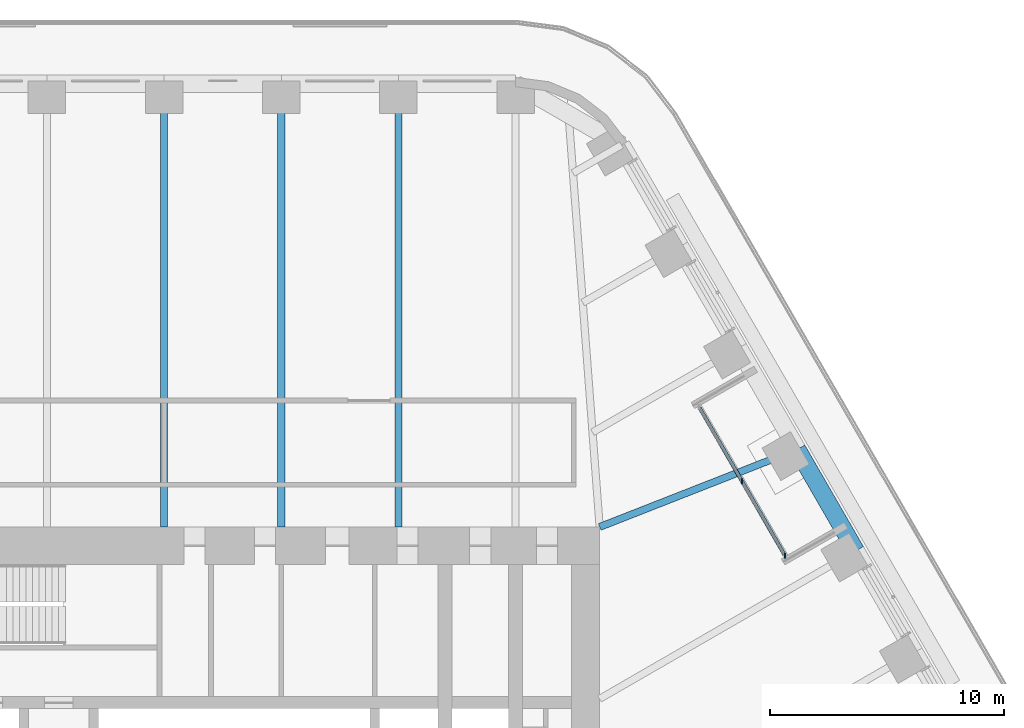
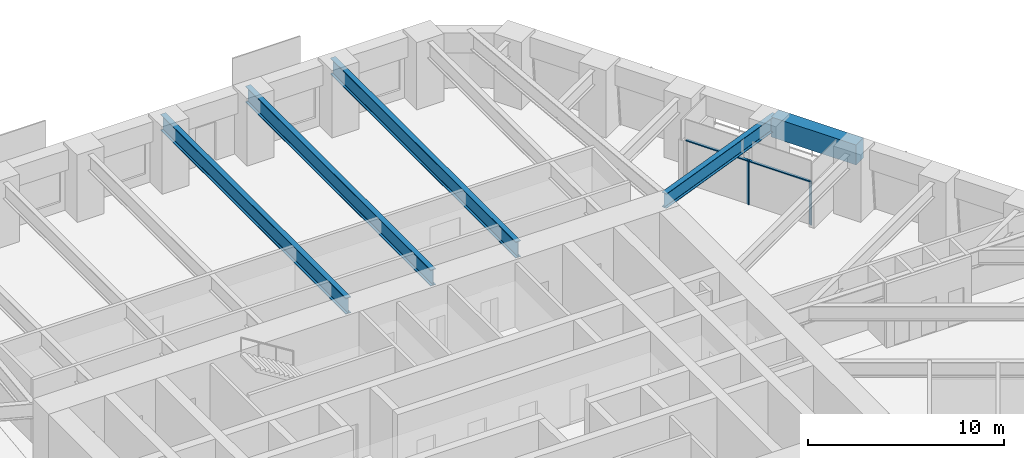
# One storey, part 11 of 24: 5 beams, 3 members, 1 element without a shape of its own.
"""IFC4 building model written with IfcOpenShell, lengths in metres."""

from ifc_helpers import new_model, si_unit, direction, frame, origin, origin_2d, place, context, subcontext, project, spatial, rectangle, i_section, extrude, material, material_profile, profile_set, type_object, element, aggregate, save


model = new_model("IFC4")

# Units and contexts
model_context = context("Model", 3, precision=1e-05, world=origin(), true_north=direction((0.0, 1.0)))
body_context = subcontext(model_context, "Body", "Model", "MODEL_VIEW")
ifc_project = project(units=[si_unit("LENGTHUNIT", "METRE"), si_unit("AREAUNIT", "SQUARE_METRE"), si_unit("VOLUMEUNIT", "CUBIC_METRE"), si_unit("PLANEANGLEUNIT", "RADIAN"), si_unit("MASSUNIT", "GRAM", prefix="KILO")], contexts=[model_context])

# Site, building, storey
site_placement = place(None, origin())
site = spatial("IfcSite", under=ifc_project, at=site_placement, CompositionType="ELEMENT")
building_placement = place(site_placement, origin())
building = spatial("IfcBuilding", under=site, at=building_placement, Name="Tarfa Lantern Tower", CompositionType="ELEMENT")
storey_placement = place(building_placement, frame((0.0, 0.0, 161.5)))
storey = spatial("IfcBuildingStorey", under=building, at=storey_placement, Name="L36", CompositionType="ELEMENT", Elevation=161.5)

# Curtain wall, members
ifc_material_1 = material(Name="Aluminium framed curtain wall", Category="aluminium")
curtain_wall_type = type_object("IfcCurtainWallType", Name="CW10 LOGGIA GLAZING 2750", PredefinedType="USERDEFINED", material=ifc_material_1)
curtain_wall_placement = place(storey_placement, origin())
curtain_wall = element("IfcCurtainWall", 1, at=curtain_wall_placement, inside=storey, type_object=curtain_wall_type, Name="CW10 NEL L36", ObjectType="CURTAIN WALL", PredefinedType="USERDEFINED")
ifc_material_2 = material(Name="Aluminium mullion", Category="aluminium")
ifc_material_profile_1 = material_profile(ifc_material_2, rectangle(XDim=0.06494140625, YDim=0.199951171875, at=origin_2d()), Name="AL MULLION 65x200")
ifc_profile_set_1 = profile_set([ifc_material_profile_1], Name="Aluminium mullion")
member_type_1 = type_object("IfcMemberType", Name="CWM1 MULLION 65x200", PredefinedType="MULLION", material=ifc_profile_set_1)
member_1_placement = place(storey_placement, frame((26.517333984375, 11.070556640625, 0.0), z_axis=(0.0, 0.0, 1.0), x_axis=(1.0, 0.0, 0.0)))
member_1 = element("IfcMember", 2, at=member_1_placement, type_object=member_type_1, Name="CW10 mullion 1", PredefinedType="MULLION", context=body_context, shape_type="SweptSolid", body=[
    extrude(rectangle(XDim=0.06494140625, YDim=0.199951171875, at=origin_2d()), origin(), (0.0, 0.0, 1.0), 2.75),
])
member_2_placement = place(storey_placement, frame((24.681640625, 14.25, 0.0), z_axis=(0.0, 0.0, 1.0), x_axis=(1.0, 0.0, 0.0)))
member_2 = element("IfcMember", 3, at=member_2_placement, type_object=member_type_1, Name="CW10 mullion 2", PredefinedType="MULLION", context=body_context, shape_type="SweptSolid", body=[
    extrude(rectangle(XDim=0.06494140625, YDim=0.199951171875, at=origin_2d()), origin(), (0.0, 0.0, 1.0), 2.75),
])
ifc_material_3 = material(Name="Aluminium transom", Category="aluminium")
ifc_material_profile_2 = material_profile(ifc_material_3, rectangle(XDim=0.14990234375, YDim=0.06494140625, at=origin_2d()), Name="AL TRANSOM 150x65")
ifc_profile_set_2 = profile_set([ifc_material_profile_2], Name="Aluminium transom")
member_type_2 = type_object("IfcMemberType", Name="CWT1 TRANSOM 150x65", PredefinedType="USERDEFINED", material=ifc_profile_set_2)
member_3_placement = place(storey_placement, frame((26.5009765625, 11.098876953125, 2.717529296875), z_axis=(-0.500007048974, 0.866021334019, 0.0), x_axis=(-0.866021334019, -0.500007048974, 0.0)))
member_3 = element("IfcMember", 4, at=member_3_placement, type_object=member_type_2, Name="CW10 transom 1.2", ObjectType="TRANSOM", PredefinedType="USERDEFINED", context=body_context, shape_type="SweptSolid", body=[
    extrude(rectangle(XDim=0.14990234375, YDim=0.06494140625, at=origin_2d()), origin(), (0.0, 0.0, 1.0), 7.27734375),
])
aggregate(curtain_wall, [member_1, member_2, member_3])

# Beams
ifc_material_4 = material(Name="Concrete C80/95", Category="concrete")
ifc_material_profile_3 = material_profile(ifc_material_4, rectangle(XDim=0.75, YDim=1.25, at=origin_2d()), Name="RC 750x1250")
ifc_profile_set_3 = profile_set([ifc_material_profile_3], Name="Concrete C80/95")
beam_type_1 = type_object("IfcBeamType", Name="EB2 RC 750x1250", PredefinedType="SPANDREL", material=ifc_profile_set_3)
beam_1_placement = place(storey_placement, frame((29.5390625, 11.276611328125, 3.375), z_axis=(-0.499964603504, 0.866045838996, 0.0), x_axis=(-0.866045838996, -0.499964603504, 0.0)))
element("IfcBeam", 5, at=beam_1_placement, inside=storey, type_object=beam_type_1, Name="Edge beam NE2", PredefinedType="SPANDREL", context=body_context, shape_type="SweptSolid", body=[
    extrude(rectangle(XDim=0.75, YDim=1.25, at=origin_2d()), origin(), (0.0, 0.0, 1.0), 5.003662109375),
])
ifc_material_5 = material(Name="Steel S460M", Category="steel")
ifc_material_profile_4 = material_profile(ifc_material_5, i_section(OverallWidth=0.302001953125, OverallDepth=1.008056640625, WebThickness=0.02099609375, FlangeThickness=0.0400390625, FilletRadius=0.030029296875, at=origin_2d()), Name="UB1016x305x349")
ifc_profile_set_4 = profile_set([ifc_material_profile_4], Name="Steel S460M")
beam_type_2 = type_object("IfcBeamType", Name="UB1016x305x349", PredefinedType="BEAM", material=ifc_profile_set_4)
for number, where, z_axis, x_axis, name in (
    (6, (10.00732421875, 31.219970703125, 3.495849609375), (0.0, -1.0, 0.0), (1.0, 0.0, 0.0), "Floor beam N1"),
    (7, (5.003662109375, 31.219970703125, 3.495849609375), (0.0, -1.0, 0.0), (1.0, 0.0, 0.0), "Floor beam N2"),
    (8, (0.0, 31.219970703125, 3.495849609375), (0.0, -1.0, 0.0), (1.0, 0.0, 0.0), "Floor beam N3"),
):
    element("IfcBeam", number, at=place(storey_placement, frame(where, z_axis=z_axis, x_axis=x_axis)), inside=storey, type_object=beam_type_2, Name=name, PredefinedType="BEAM", context=body_context, shape_type="SweptSolid", body=[
        extrude(i_section(OverallWidth=0.302001953125, OverallDepth=1.008056640625, WebThickness=0.02099609375, FlangeThickness=0.0400390625, FilletRadius=0.030029296875, at=origin_2d()), origin(), (0.0, 0.0, 1.0), 18.919921875),
    ])
ifc_material_profile_5 = material_profile(ifc_material_5, i_section(OverallWidth=0.305419921875, OverallDepth=0.91845703125, WebThickness=0.017333984375, FlangeThickness=0.02783203125, FilletRadius=0.01904296875, at=origin_2d()), Name="UB914x305x253")
ifc_profile_set_5 = profile_set([ifc_material_profile_5], Name="Steel S460M")
beam_type_3 = type_object("IfcBeamType", Name="UB914x305x253", PredefinedType="BEAM", material=ifc_profile_set_5)
beam_2_placement = place(storey_placement, frame((27.037353515625, 15.610107421875, 3.540771484375), z_axis=(-0.930923282782, -0.365214788274, 0.0), x_axis=(0.365214788274, -0.930923282782, 0.0)))
element("IfcBeam", 9, at=beam_2_placement, inside=storey, type_object=beam_type_3, Name="Floor beam NE3", PredefinedType="BEAM", context=body_context, shape_type="SweptSolid", body=[
    extrude(i_section(OverallWidth=0.305419921875, OverallDepth=0.91845703125, WebThickness=0.017333984375, FlangeThickness=0.02783203125, FilletRadius=0.01904296875, at=origin_2d()), origin(), (0.0, 0.0, 1.0), 9.063232421875),
])

save(model, "model.ifc")
